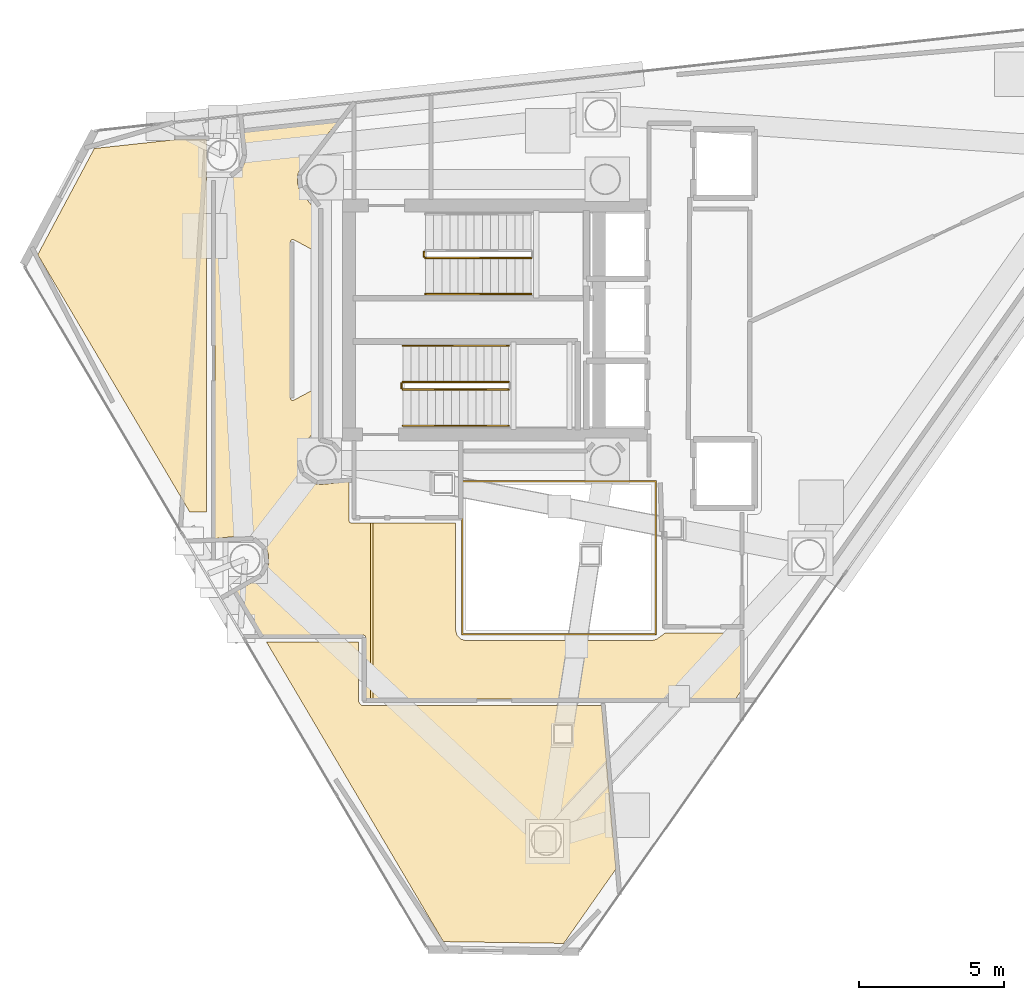
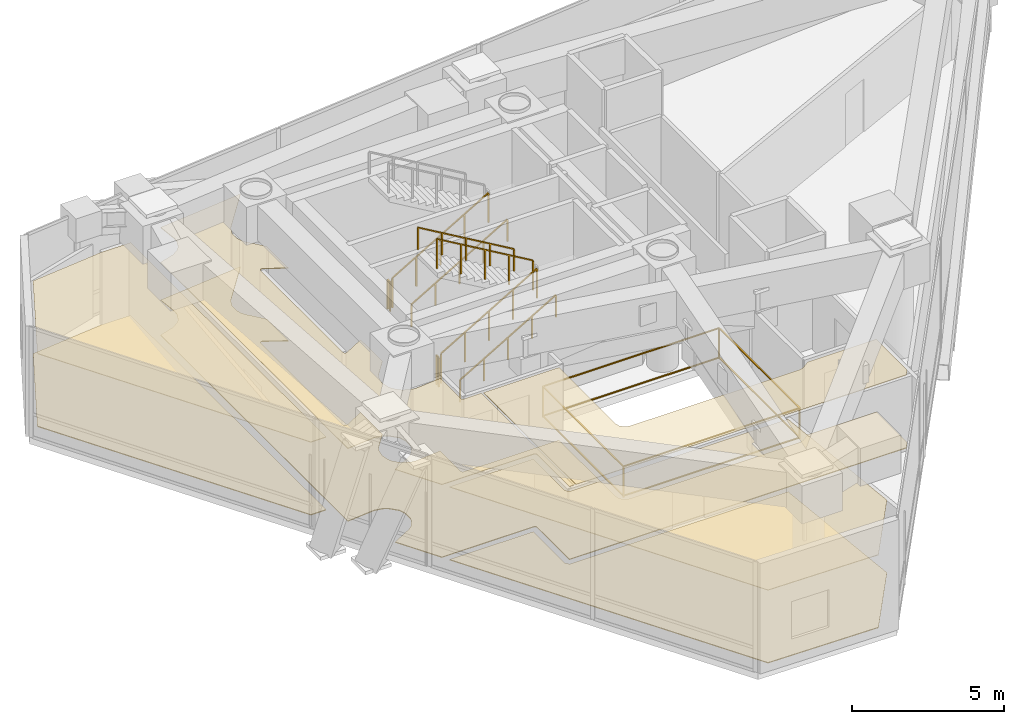
# One storey, part 20 of 21: 9 railings, 7 coverings.
"""IFC4 building model written with IfcOpenShell, lengths in metres."""

from ifc_helpers import new_model, si_unit, direction, frame, origin, origin_2d, place, context, subcontext, project, spatial, polyline, rectangle, outline, extrude, material, layer, layer_set, type_object, element, save


model = new_model("IFC4")

# Units and contexts
model_context = context("Model", 3, precision=1e-05, world=origin(), true_north=direction((0.0, 1.0)))
body_context = subcontext(model_context, "Body", "Model", "MODEL_VIEW")
ifc_project = project(units=[si_unit("LENGTHUNIT", "METRE"), si_unit("AREAUNIT", "SQUARE_METRE"), si_unit("VOLUMEUNIT", "CUBIC_METRE"), si_unit("PLANEANGLEUNIT", "RADIAN"), si_unit("MASSUNIT", "GRAM", prefix="KILO")], contexts=[model_context])

# Site, building, storey
site_placement = place(None, origin())
site = spatial("IfcSite", under=ifc_project, at=site_placement, CompositionType="ELEMENT")
building_placement = place(site_placement, origin())
building = spatial("IfcBuilding", under=site, at=building_placement, Name="Qianvela Tower", CompositionType="ELEMENT")
storey_placement = place(building_placement, frame((0.0, 0.0, 276.0)))
storey = spatial("IfcBuildingStorey", under=building, at=storey_placement, Name="L71", CompositionType="ELEMENT", Elevation=276.0)

# Coverings
ifc_material_1 = material(Name="Perforated Mineral Acoustic Ceiling Tile")
ifc_layer_1 = layer(ifc_material_1, 0.02490234375)
ifc_layer_set_1 = layer_set([ifc_layer_1], Name="Perforated Mineral Acoustic Ceiling Tile")
covering_type_1 = type_object("IfcCoveringType", Name="COV-CEIL-ACOUSTIC-25", PredefinedType="CEILING", material=ifc_layer_set_1)
covering_1_placement = place(storey_placement, frame((0.0, 0.0, 2.9150390625)))
element("IfcCovering", 1, at=covering_1_placement, inside=storey, type_object=covering_type_1, Name="L71 Acoustic Ceiling L71 Fire Refuge Area North", PredefinedType="CEILING", context=body_context, shape_type="SweptSolid", body=[
    extrude(outline(polyline([(24.05908203125, 22.080078125), (18.8193359375, 30.953857421875), (20.77197265625, 34.617431640625), (23.5537109375, 34.919921875), (24.639892578125, 34.919921875), (24.639892578125, 22.080078125), (24.05908203125, 22.080078125)])), origin(), (0.0, 0.0, 1.0), 0.02490234375),
])
covering_2_placement = place(storey_placement, frame((0.0, 0.0, 2.9150390625)))
element("IfcCovering", 2, at=covering_2_placement, inside=storey, type_object=covering_type_1, Name="L71 Acoustic Ceiling Bay 1 L71 Mechanical Plant Corridor", PredefinedType="CEILING", context=body_context, shape_type="SweptSolid", body=[
    extrude(outline(polyline([(26.7822265625, 20.590087890625), (26.781005859375, 20.597900390625), (26.779296875, 20.605712890625), (26.715087890625, 20.816650390625), (26.712646484375, 20.82373046875), (26.70947265625, 20.83056640625), (26.705810546875, 20.8369140625), (26.701416015625, 20.843017578125), (26.6962890625, 20.848876953125), (26.443603515625, 21.11181640625), (26.4375, 21.11767578125), (26.430908203125, 21.122802734375), (26.423583984375, 21.126953125), (26.294921875, 21.19580078125), (26.28759765625, 21.19921875), (26.2802734375, 21.201904296875), (26.272705078125, 21.203857421875), (25.987548828125, 21.260498046875), (25.979736328125, 21.26171875), (25.971923828125, 21.261962890625), (25.964111328125, 21.26171875), (24.929931640625, 21.159912109375), (24.929931640625, 33.44921875), (25.490234375, 33.619140625), (25.497802734375, 33.621826171875), (25.5048828125, 33.625244140625), (25.511474609375, 33.629150390625), (25.753173828125, 33.790771484375), (25.759521484375, 33.79541015625), (25.765380859375, 33.800537109375), (25.7705078125, 33.806396484375), (25.86328125, 33.919189453125), (25.867919921875, 33.92578125), (25.8720703125, 33.932373046875), (25.87548828125, 33.939453125), (25.986572265625, 34.2080078125), (25.9892578125, 34.21533203125), (25.9912109375, 34.22314453125), (25.9921875, 34.230712890625), (26.006591796875, 34.376220703125), (26.007080078125, 34.384033203125), (26.006591796875, 34.391845703125), (25.92919921875, 35.178466796875), (29.162353515625, 35.530029296875), (27.918701171875, 34.0146484375), (27.9140625, 34.00830078125), (27.909912109375, 34.001708984375), (27.906494140625, 33.994384765625), (27.79541015625, 33.72607421875), (27.792724609375, 33.718505859375), (27.791015625, 33.7109375), (27.789794921875, 33.703125), (27.789306640625, 33.6953125), (27.789306640625, 33.40478515625), (27.789794921875, 33.396728515625), (27.791015625, 33.38916015625), (27.792724609375, 33.38134765625), (27.835205078125, 33.24169921875), (27.837890625, 33.234375), (27.84130859375, 33.227294921875), (27.909912109375, 33.098388671875), (27.9140625, 33.091796875), (27.918701171875, 33.085205078125), (28.39990234375, 32.498779296875), (28.39990234375, 31.067626953125), (27.65771484375, 31.46435546875), (27.650634765625, 31.4677734375), (27.643310546875, 31.470458984375), (27.635498046875, 31.472412109375), (27.627685546875, 31.473388671875), (27.6201171875, 31.473876953125), (27.6123046875, 31.473388671875), (27.6044921875, 31.472412109375), (27.5966796875, 31.470458984375), (27.58935546875, 31.4677734375), (27.582275390625, 31.46435546875), (27.57568359375, 31.460205078125), (27.569091796875, 31.45556640625), (27.5634765625, 31.450439453125), (27.55810546875, 31.444580078125), (27.553466796875, 31.438232421875), (27.54931640625, 31.431396484375), (27.546142578125, 31.42431640625), (27.54345703125, 31.4169921875), (27.54150390625, 31.409423828125), (27.540283203125, 31.401611328125), (27.5400390625, 31.393798828125), (27.5400390625, 26.006103515625), (27.540283203125, 25.998291015625), (27.54150390625, 25.990478515625), (27.54345703125, 25.98291015625), (27.546142578125, 25.9755859375), (27.54931640625, 25.968505859375), (27.553466796875, 25.9619140625), (27.55810546875, 25.955322265625), (27.5634765625, 25.94970703125), (27.569091796875, 25.9443359375), (27.57568359375, 25.939697265625), (27.582275390625, 25.935546875), (27.58935546875, 25.932373046875), (27.5966796875, 25.9296875), (27.6044921875, 25.927734375), (27.6123046875, 25.926513671875), (27.6201171875, 25.92626953125), (27.627685546875, 25.926513671875), (27.635498046875, 25.927734375), (27.643310546875, 25.9296875), (27.650634765625, 25.932373046875), (27.65771484375, 25.935546875), (28.39990234375, 26.33251953125), (28.39990234375, 24.901123046875), (27.918701171875, 24.314697265625), (27.9140625, 24.308349609375), (27.909912109375, 24.301513671875), (27.84130859375, 24.1728515625), (27.837890625, 24.165771484375), (27.835205078125, 24.158203125), (27.833251953125, 24.150634765625), (27.776611328125, 23.865478515625), (27.775390625, 23.85791015625), (27.77490234375, 23.85009765625), (27.775390625, 23.84228515625), (27.776611328125, 23.83447265625), (27.833251953125, 23.54931640625), (27.835205078125, 23.541748046875), (27.837890625, 23.5341796875), (27.84130859375, 23.527099609375), (27.909912109375, 23.3984375), (27.9140625, 23.3916015625), (27.918701171875, 23.38525390625), (27.924072265625, 23.37939453125), (28.12939453125, 23.174072265625), (28.13525390625, 23.168701171875), (28.1416015625, 23.1640625), (28.1484375, 23.159912109375), (28.155517578125, 23.156494140625), (28.424072265625, 23.04541015625), (28.431396484375, 23.042724609375), (28.439208984375, 23.041015625), (28.44677734375, 23.039794921875), (28.59228515625, 23.025390625), (28.60009765625, 23.02490234375), (28.60791015625, 23.025390625), (29.55810546875, 23.118896484375), (29.55810546875, 21.780029296875), (29.558349609375, 21.772216796875), (29.5595703125, 21.764404296875), (29.561279296875, 21.7568359375), (29.564208984375, 21.74951171875), (29.5673828125, 21.7421875), (29.571533203125, 21.735595703125), (29.576171875, 21.729248046875), (29.581298828125, 21.723388671875), (29.587158203125, 21.71826171875), (29.593505859375, 21.71337890625), (29.600341796875, 21.70947265625), (29.607421875, 21.7060546875), (29.61474609375, 21.703369140625), (29.622314453125, 21.701416015625), (29.630126953125, 21.700439453125), (29.637939453125, 21.699951171875), (30.298828125, 21.699951171875), (30.298828125, 15.6298828125), (30.1298828125, 15.6298828125), (30.1298828125, 17.75), (30.129638671875, 17.7578125), (30.12841796875, 17.765625), (30.126708984375, 17.773193359375), (30.123779296875, 17.780517578125), (30.12060546875, 17.78759765625), (30.116455078125, 17.79443359375), (30.11181640625, 17.80078125), (30.106689453125, 17.806640625), (30.100830078125, 17.811767578125), (30.094482421875, 17.81640625), (30.087646484375, 17.820556640625), (30.08056640625, 17.823974609375), (30.0732421875, 17.82666015625), (30.065673828125, 17.82861328125), (30.057861328125, 17.82958984375), (30.050048828125, 17.830078125), (26.568603515625, 17.830078125), (25.67333984375, 19.345947265625), (26.423583984375, 19.7470703125), (26.430419921875, 19.7509765625), (26.436767578125, 19.755615234375), (26.549560546875, 19.848388671875), (26.555419921875, 19.853515625), (26.560546875, 19.859619140625), (26.565185546875, 19.86572265625), (26.726806640625, 20.107421875), (26.730712890625, 20.1142578125), (26.734130859375, 20.121337890625), (26.73681640625, 20.128662109375), (26.779296875, 20.268310546875), (26.781005859375, 20.276123046875), (26.7822265625, 20.28369140625), (26.78271484375, 20.291748046875), (26.78271484375, 20.582275390625), (26.7822265625, 20.590087890625)])), origin(), (0.0, 0.0, 1.0), 0.02490234375),
])
covering_3_placement = place(storey_placement, frame((0.0, 0.0, 2.9150390625)))
element("IfcCovering", 3, at=covering_3_placement, inside=storey, type_object=covering_type_1, Name="L71 Acoustic Ceiling Bay 2 L71 Mechanical Plant Corridor", PredefinedType="CEILING", context=body_context, shape_type="SweptSolid", body=[
    extrude(outline(polyline([(33.239990234375, 21.699951171875), (33.239990234375, 18.0), (33.240478515625, 17.990234375), (33.242431640625, 17.980712890625), (33.275390625, 17.8486328125), (33.277587890625, 17.841796875), (33.2802734375, 17.8349609375), (33.283447265625, 17.82861328125), (33.287353515625, 17.822509765625), (33.29150390625, 17.81689453125), (33.29638671875, 17.811279296875), (33.411376953125, 17.696533203125), (33.41796875, 17.690673828125), (33.4248046875, 17.685791015625), (33.432373046875, 17.681396484375), (33.440185546875, 17.677978515625), (33.448486328125, 17.675537109375), (33.58056640625, 17.642333984375), (33.5869140625, 17.64111328125), (33.593505859375, 17.640380859375), (33.60009765625, 17.639892578125), (40.0, 17.639892578125), (40.006591796875, 17.640380859375), (40.012939453125, 17.64111328125), (40.019287109375, 17.642333984375), (40.1513671875, 17.675537109375), (40.15869140625, 17.677734375), (40.166015625, 17.6806640625), (40.172607421875, 17.68408203125), (40.17919921875, 17.6884765625), (40.459228515625, 17.89306640625), (43.070068359375, 17.89990234375), (43.070068359375, 15.87890625), (42.895263671875, 15.6298828125), (30.37890625, 15.6298828125), (30.37890625, 21.699951171875), (33.239990234375, 21.699951171875)])), origin(), (0.0, 0.0, 1.0), 0.02490234375),
])
covering_4_placement = place(storey_placement, frame((0.0, 0.0, 2.9150390625)))
element("IfcCovering", 4, at=covering_4_placement, inside=storey, type_object=covering_type_1, Name="L71 Acoustic Ceiling L71 Fire Refuge Area 3", PredefinedType="CEILING", context=body_context, shape_type="SweptSolid", body=[
    extrude(outline(polyline([(26.710205078125, 17.590087890625), (29.889892578125, 17.590087890625), (29.889892578125, 15.550048828125), (29.890380859375, 15.542236328125), (29.8916015625, 15.534423828125), (29.893310546875, 15.52685546875), (29.89599609375, 15.519287109375), (29.8994140625, 15.51220703125), (29.903564453125, 15.505615234375), (29.908203125, 15.499267578125), (29.97265625, 15.4208984375), (29.977783203125, 15.4150390625), (29.983642578125, 15.40966796875), (29.989990234375, 15.405029296875), (29.99658203125, 15.40087890625), (30.00390625, 15.397705078125), (30.01123046875, 15.39501953125), (30.018798828125, 15.39306640625), (30.026611328125, 15.391845703125), (30.034423828125, 15.3916015625), (38.277587890625, 15.389892578125), (38.7705078125, 9.75830078125), (36.966552734375, 7.190185546875), (32.8154296875, 7.25), (26.710205078125, 17.590087890625)])), origin(), (0.0, 0.0, 1.0), 0.02490234375),
])
ifc_material_2 = material(Name="Honed Stone Terrazzo Flooring", Category="masonry")
ifc_layer_2 = layer(ifc_material_2, 0.030029296875)
ifc_layer_set_2 = layer_set([ifc_layer_2], Name="Honed Stone Terrazzo Flooring")
covering_type_2 = type_object("IfcCoveringType", Name="COV-FLOOR-TERRAZZO-30", PredefinedType="FLOORING", material=ifc_layer_set_2)
covering_5_placement = place(storey_placement, origin())
element("IfcCovering", 5, at=covering_5_placement, inside=storey, type_object=covering_type_2, Name="L71 Finish Flooring L71 Fire Refuge Area North", PredefinedType="FLOORING", context=body_context, shape_type="SweptSolid", body=[
    extrude(outline(polyline([(24.05908203125, 22.080078125), (18.8193359375, 30.953857421875), (20.77197265625, 34.617431640625), (23.5537109375, 34.919921875), (24.639892578125, 34.919921875), (24.639892578125, 22.080078125), (24.05908203125, 22.080078125)])), origin(), (0.0, 0.0, 1.0), 0.030029296875),
])
covering_6_placement = place(storey_placement, origin())
element("IfcCovering", 6, at=covering_6_placement, inside=storey, type_object=covering_type_2, Name="L71 Finish Flooring L71 Mechanical Plant Corridor", PredefinedType="FLOORING", context=body_context, shape_type="SweptSolid", body=[
    extrude(outline(polyline([(26.78271484375, 20.582275390625), (26.7822265625, 20.590087890625), (26.781005859375, 20.597900390625), (26.779296875, 20.605712890625), (26.715087890625, 20.816650390625), (26.712646484375, 20.82373046875), (26.70947265625, 20.83056640625), (26.705810546875, 20.8369140625), (26.701416015625, 20.843017578125), (26.6962890625, 20.848876953125), (26.443603515625, 21.11181640625), (26.4375, 21.11767578125), (26.430908203125, 21.122802734375), (26.423583984375, 21.126953125), (26.294921875, 21.19580078125), (26.28759765625, 21.19921875), (26.2802734375, 21.201904296875), (26.272705078125, 21.203857421875), (25.987548828125, 21.260498046875), (25.979736328125, 21.26171875), (25.971923828125, 21.261962890625), (25.964111328125, 21.26171875), (24.929931640625, 21.159912109375), (24.929931640625, 33.44921875), (25.490234375, 33.619140625), (25.497802734375, 33.621826171875), (25.5048828125, 33.625244140625), (25.511474609375, 33.629150390625), (25.753173828125, 33.790771484375), (25.759521484375, 33.79541015625), (25.765380859375, 33.800537109375), (25.7705078125, 33.806396484375), (25.86328125, 33.919189453125), (25.867919921875, 33.92578125), (25.8720703125, 33.932373046875), (25.87548828125, 33.939453125), (25.986572265625, 34.2080078125), (25.9892578125, 34.21533203125), (25.9912109375, 34.22314453125), (25.9921875, 34.230712890625), (26.006591796875, 34.376220703125), (26.007080078125, 34.384033203125), (26.006591796875, 34.391845703125), (25.92919921875, 35.178466796875), (29.162353515625, 35.530029296875), (27.918701171875, 34.0146484375), (27.9140625, 34.00830078125), (27.909912109375, 34.001708984375), (27.906494140625, 33.994384765625), (27.79541015625, 33.72607421875), (27.792724609375, 33.718505859375), (27.791015625, 33.7109375), (27.789794921875, 33.703125), (27.789306640625, 33.6953125), (27.789306640625, 33.40478515625), (27.789794921875, 33.396728515625), (27.791015625, 33.38916015625), (27.792724609375, 33.38134765625), (27.835205078125, 33.24169921875), (27.837890625, 33.234375), (27.84130859375, 33.227294921875), (27.909912109375, 33.098388671875), (27.9140625, 33.091796875), (27.918701171875, 33.085205078125), (28.39990234375, 32.498779296875), (28.39990234375, 31.067626953125), (27.65771484375, 31.46435546875), (27.650634765625, 31.4677734375), (27.643310546875, 31.470458984375), (27.635498046875, 31.472412109375), (27.627685546875, 31.473388671875), (27.6201171875, 31.473876953125), (27.6123046875, 31.473388671875), (27.6044921875, 31.472412109375), (27.5966796875, 31.470458984375), (27.58935546875, 31.4677734375), (27.582275390625, 31.46435546875), (27.57568359375, 31.460205078125), (27.569091796875, 31.45556640625), (27.5634765625, 31.450439453125), (27.55810546875, 31.444580078125), (27.553466796875, 31.438232421875), (27.54931640625, 31.431396484375), (27.546142578125, 31.42431640625), (27.54345703125, 31.4169921875), (27.54150390625, 31.409423828125), (27.540283203125, 31.401611328125), (27.5400390625, 31.393798828125), (27.5400390625, 26.006103515625), (27.540283203125, 25.998291015625), (27.54150390625, 25.990478515625), (27.54345703125, 25.98291015625), (27.546142578125, 25.9755859375), (27.54931640625, 25.968505859375), (27.553466796875, 25.9619140625), (27.55810546875, 25.955322265625), (27.5634765625, 25.94970703125), (27.569091796875, 25.9443359375), (27.57568359375, 25.939697265625), (27.582275390625, 25.935546875), (27.58935546875, 25.932373046875), (27.5966796875, 25.9296875), (27.6044921875, 25.927734375), (27.6123046875, 25.926513671875), (27.6201171875, 25.92626953125), (27.627685546875, 25.926513671875), (27.635498046875, 25.927734375), (27.643310546875, 25.9296875), (27.650634765625, 25.932373046875), (27.65771484375, 25.935546875), (28.39990234375, 26.33251953125), (28.39990234375, 24.901123046875), (27.918701171875, 24.314697265625), (27.9140625, 24.308349609375), (27.909912109375, 24.301513671875), (27.84130859375, 24.1728515625), (27.837890625, 24.165771484375), (27.835205078125, 24.158203125), (27.833251953125, 24.150634765625), (27.776611328125, 23.865478515625), (27.775390625, 23.85791015625), (27.77490234375, 23.85009765625), (27.775390625, 23.84228515625), (27.776611328125, 23.83447265625), (27.833251953125, 23.54931640625), (27.835205078125, 23.541748046875), (27.837890625, 23.5341796875), (27.84130859375, 23.527099609375), (27.909912109375, 23.3984375), (27.9140625, 23.3916015625), (27.918701171875, 23.38525390625), (27.924072265625, 23.37939453125), (28.12939453125, 23.174072265625), (28.13525390625, 23.168701171875), (28.1416015625, 23.1640625), (28.1484375, 23.159912109375), (28.155517578125, 23.156494140625), (28.424072265625, 23.04541015625), (28.431396484375, 23.042724609375), (28.439208984375, 23.041015625), (28.44677734375, 23.039794921875), (28.59228515625, 23.025390625), (28.60009765625, 23.02490234375), (28.60791015625, 23.025390625), (29.55810546875, 23.118896484375), (29.55810546875, 21.780029296875), (29.558349609375, 21.772216796875), (29.5595703125, 21.764404296875), (29.561279296875, 21.7568359375), (29.564208984375, 21.74951171875), (29.5673828125, 21.7421875), (29.571533203125, 21.735595703125), (29.576171875, 21.729248046875), (29.581298828125, 21.723388671875), (29.587158203125, 21.71826171875), (29.593505859375, 21.71337890625), (29.600341796875, 21.70947265625), (29.607421875, 21.7060546875), (29.61474609375, 21.703369140625), (29.622314453125, 21.701416015625), (29.630126953125, 21.700439453125), (29.637939453125, 21.699951171875), (33.239990234375, 21.699951171875), (33.239990234375, 18.0), (33.240478515625, 17.990234375), (33.242431640625, 17.980712890625), (33.275390625, 17.8486328125), (33.277587890625, 17.841796875), (33.2802734375, 17.8349609375), (33.283447265625, 17.82861328125), (33.287353515625, 17.822509765625), (33.29150390625, 17.81689453125), (33.29638671875, 17.811279296875), (33.411376953125, 17.696533203125), (33.41796875, 17.690673828125), (33.4248046875, 17.685791015625), (33.432373046875, 17.681396484375), (33.440185546875, 17.677978515625), (33.448486328125, 17.675537109375), (33.58056640625, 17.642333984375), (33.5869140625, 17.64111328125), (33.593505859375, 17.640380859375), (33.60009765625, 17.639892578125), (40.0, 17.639892578125), (40.006591796875, 17.640380859375), (40.012939453125, 17.64111328125), (40.019287109375, 17.642333984375), (40.1513671875, 17.675537109375), (40.15869140625, 17.677734375), (40.166015625, 17.6806640625), (40.172607421875, 17.68408203125), (40.17919921875, 17.6884765625), (40.459228515625, 17.89306640625), (43.070068359375, 17.89990234375), (43.070068359375, 15.87890625), (42.895263671875, 15.6298828125), (30.1298828125, 15.6298828125), (30.1298828125, 17.75), (30.129638671875, 17.7578125), (30.12841796875, 17.765625), (30.126708984375, 17.773193359375), (30.123779296875, 17.780517578125), (30.12060546875, 17.78759765625), (30.116455078125, 17.79443359375), (30.11181640625, 17.80078125), (30.106689453125, 17.806640625), (30.100830078125, 17.811767578125), (30.094482421875, 17.81640625), (30.087646484375, 17.820556640625), (30.08056640625, 17.823974609375), (30.0732421875, 17.82666015625), (30.065673828125, 17.82861328125), (30.057861328125, 17.82958984375), (30.050048828125, 17.830078125), (26.568603515625, 17.830078125), (25.67333984375, 19.345947265625), (26.423583984375, 19.7470703125), (26.430419921875, 19.7509765625), (26.436767578125, 19.755615234375), (26.549560546875, 19.848388671875), (26.555419921875, 19.853515625), (26.560546875, 19.859619140625), (26.565185546875, 19.86572265625), (26.726806640625, 20.107421875), (26.730712890625, 20.1142578125), (26.734130859375, 20.121337890625), (26.73681640625, 20.128662109375), (26.779296875, 20.268310546875), (26.781005859375, 20.276123046875), (26.7822265625, 20.28369140625), (26.78271484375, 20.291748046875), (26.78271484375, 20.582275390625)])), origin(), (0.0, 0.0, 1.0), 0.030029296875),
])
covering_7_placement = place(storey_placement, origin())
element("IfcCovering", 7, at=covering_7_placement, inside=storey, type_object=covering_type_2, Name="L71 Finish Flooring L71 Fire Refuge Area 3", PredefinedType="FLOORING", context=body_context, shape_type="SweptSolid", body=[
    extrude(outline(polyline([(26.710205078125, 17.590087890625), (29.889892578125, 17.590087890625), (29.889892578125, 15.550048828125), (29.890380859375, 15.542236328125), (29.8916015625, 15.534423828125), (29.893310546875, 15.52685546875), (29.89599609375, 15.519287109375), (29.8994140625, 15.51220703125), (29.903564453125, 15.505615234375), (29.908203125, 15.499267578125), (29.97265625, 15.4208984375), (29.977783203125, 15.4150390625), (29.983642578125, 15.40966796875), (29.989990234375, 15.405029296875), (29.99658203125, 15.40087890625), (30.00390625, 15.397705078125), (30.01123046875, 15.39501953125), (30.018798828125, 15.39306640625), (30.026611328125, 15.391845703125), (30.034423828125, 15.3916015625), (38.277587890625, 15.389892578125), (38.7705078125, 9.75830078125), (36.966552734375, 7.190185546875), (32.8154296875, 7.25), (26.710205078125, 17.590087890625)])), origin(), (0.0, 0.0, 1.0), 0.030029296875),
])

# Railings
ifc_material_3 = material(Name="Laminated Safety Glass and Stainless Steel 316", Category="steel")
railing_type_1 = type_object("IfcRailingType", Name="RL-ATRIUM-GUARD-1250", PredefinedType="GUARDRAIL", material=ifc_material_3)
railing_1_placement = place(storey_placement, frame((33.4599609375, 17.860107421875, 0.0)))
element("IfcRailing", 8, at=railing_1_placement, inside=storey, type_object=railing_type_1, Name="L71 Atrium Edge Guardrail 1", PredefinedType="GUARDRAIL", context=body_context, shape_type="SweptSolid", body=[
    extrude(rectangle(XDim=0.050048828125, YDim=0.0400390625, at=origin_2d()), frame((0.0, 0.0, 1.22998046875), z_axis=(0.0, 1.0, 0.0), x_axis=(-1.0, 0.0, 0.0)), (0.0, 0.0, 1.0), 5.27978515625),
    extrude(rectangle(XDim=0.050048828125, YDim=0.0400390625, at=origin_2d()), frame((0.0, 0.0, 0.050048828125), z_axis=(0.0, 1.0, 0.0), x_axis=(-1.0, 0.0, 0.0)), (0.0, 0.0, 1.0), 5.27978515625),
    extrude(rectangle(XDim=0.050048828125, YDim=0.0400390625, at=origin_2d()), frame((0.0, 5.27978515625, 1.22998046875), z_axis=(1.0, 0.0, 0.0), x_axis=(0.0, 1.0, 0.0)), (0.0, 0.0, 1.0), 6.679931640625),
    extrude(rectangle(XDim=0.050048828125, YDim=0.0400390625, at=origin_2d()), frame((0.0, 5.27978515625, 0.050048828125), z_axis=(1.0, 0.0, 0.0), x_axis=(0.0, 1.0, 0.0)), (0.0, 0.0, 1.0), 6.679931640625),
    extrude(rectangle(XDim=0.050048828125, YDim=0.0400390625, at=origin_2d()), frame((6.679931640625, 5.27978515625, 1.22998046875), z_axis=(0.0, -1.0, 0.0), x_axis=(1.0, 0.0, 0.0)), (0.0, 0.0, 1.0), 5.27978515625),
    extrude(rectangle(XDim=0.050048828125, YDim=0.0400390625, at=origin_2d()), frame((6.679931640625, 5.27978515625, 0.050048828125), z_axis=(0.0, -1.0, 0.0), x_axis=(1.0, 0.0, 0.0)), (0.0, 0.0, 1.0), 5.27978515625),
    extrude(rectangle(XDim=0.050048828125, YDim=0.0400390625, at=origin_2d()), frame((6.679931640625, 0.0, 1.22998046875), z_axis=(-1.0, 0.0, 0.0), x_axis=(0.0, -1.0, 0.0)), (0.0, 0.0, 1.0), 6.679931640625),
    extrude(rectangle(XDim=0.050048828125, YDim=0.0400390625, at=origin_2d()), frame((6.679931640625, 0.0, 0.050048828125), z_axis=(-1.0, 0.0, 0.0), x_axis=(0.0, -1.0, 0.0)), (0.0, 0.0, 1.0), 6.679931640625),
    extrude(rectangle(XDim=0.050048828125, YDim=0.050048828125, at=origin_2d()), origin(), (0.0, 0.0, 1.0), 1.2099609375),
    extrude(rectangle(XDim=0.050048828125, YDim=0.050048828125, at=origin_2d()), frame((0.0, 5.27978515625, 0.0)), (0.0, 0.0, 1.0), 1.2099609375),
    extrude(rectangle(XDim=0.050048828125, YDim=0.050048828125, at=origin_2d()), frame((6.679931640625, 5.27978515625, 0.0)), (0.0, 0.0, 1.0), 1.2099609375),
    extrude(rectangle(XDim=0.050048828125, YDim=0.050048828125, at=origin_2d()), frame((6.679931640625, 0.0, 0.0)), (0.0, 0.0, 1.0), 1.2099609375),
])
ifc_material_4 = material(Name="Painted Tubular Steel Q355B", Category="steel")
railing_type_2 = type_object("IfcRailingType", Name="RL-STAIR-GUARD-1200", PredefinedType="GUARDRAIL", material=ifc_material_4)
railing_2_placement = place(storey_placement, frame((32.199951171875, 30.840087890625, 0.164306640625)))
element("IfcRailing", 9, at=railing_2_placement, inside=storey, type_object=railing_type_2, Name="L71 ST-1 stair guard 1", PredefinedType="GUARDRAIL", context=body_context, shape_type="SweptSolid", body=[
    extrude(rectangle(XDim=0.050048828125, YDim=0.0400390625, at=origin_2d()), frame((0.0, 0.0, 1.179931640625), z_axis=(0.862504707072, 0.0, 0.506049039401), x_axis=(0.0, 1.0, 0.0)), (0.0, 0.0, 1.0), 4.220458984375),
    extrude(rectangle(XDim=0.050048828125, YDim=0.050048828125, at=origin_2d()), origin(), (0.0, 0.0, 1.0), 1.159912109375),
    extrude(rectangle(XDim=0.050048828125, YDim=0.050048828125, at=origin_2d()), frame((0.91015625, 0.0, 0.533935546875)), (0.0, 0.0, 1.0), 1.159912109375),
    extrude(rectangle(XDim=0.050048828125, YDim=0.050048828125, at=origin_2d()), frame((1.820068359375, 0.0, 1.06787109375)), (0.0, 0.0, 1.0), 1.159912109375),
    extrude(rectangle(XDim=0.050048828125, YDim=0.050048828125, at=origin_2d()), frame((2.72998046875, 0.0, 1.601806640625)), (0.0, 0.0, 1.0), 1.159912109375),
    extrude(rectangle(XDim=0.050048828125, YDim=0.050048828125, at=origin_2d()), frame((3.64013671875, 0.0, 2.1357421875)), (0.0, 0.0, 1.0), 1.159912109375),
])
railing_3_placement = place(storey_placement, frame((32.14990234375, 30.889892578125, 0.0)))
element("IfcRailing", 10, at=railing_3_placement, inside=storey, type_object=railing_type_2, Name="L71 ST-1 stair guard 4", PredefinedType="GUARDRAIL", context=body_context, shape_type="SweptSolid", body=[
    extrude(rectangle(XDim=0.050048828125, YDim=0.0400390625, at=origin_2d()), frame((0.0, 0.0, 1.179931640625), z_axis=(0.0, 1.0, 0.0), x_axis=(-1.0, 0.0, 0.0)), (0.0, 0.0, 1.0), 0.16015625),
    extrude(rectangle(XDim=0.050048828125, YDim=0.050048828125, at=origin_2d()), origin(), (0.0, 0.0, 1.0), 1.159912109375),
    extrude(rectangle(XDim=0.050048828125, YDim=0.050048828125, at=origin_2d()), frame((0.0, 0.16015625, 0.0)), (0.0, 0.0, 1.0), 1.159912109375),
])
railing_4_placement = place(storey_placement, frame((31.419921875, 26.300048828125, 0.164306640625)))
element("IfcRailing", 11, at=railing_4_placement, inside=storey, type_object=railing_type_2, Name="L71 ST-2 stair guard 1", PredefinedType="GUARDRAIL", context=body_context, shape_type="SweptSolid", body=[
    extrude(rectangle(XDim=0.050048828125, YDim=0.0400390625, at=origin_2d()), frame((0.0, 0.0, 1.179931640625), z_axis=(0.862504707072, 0.0, 0.506049039401), x_axis=(0.0, 1.0, 0.0)), (0.0, 0.0, 1.0), 4.220458984375),
    extrude(rectangle(XDim=0.050048828125, YDim=0.050048828125, at=origin_2d()), origin(), (0.0, 0.0, 1.0), 1.159912109375),
    extrude(rectangle(XDim=0.050048828125, YDim=0.050048828125, at=origin_2d()), frame((0.91015625, 0.0, 0.533935546875)), (0.0, 0.0, 1.0), 1.159912109375),
    extrude(rectangle(XDim=0.050048828125, YDim=0.050048828125, at=origin_2d()), frame((1.820068359375, 0.0, 1.06787109375)), (0.0, 0.0, 1.0), 1.159912109375),
    extrude(rectangle(XDim=0.050048828125, YDim=0.050048828125, at=origin_2d()), frame((2.72998046875, 0.0, 1.601806640625)), (0.0, 0.0, 1.0), 1.159912109375),
    extrude(rectangle(XDim=0.050048828125, YDim=0.050048828125, at=origin_2d()), frame((3.64013671875, 0.0, 2.1357421875)), (0.0, 0.0, 1.0), 1.159912109375),
])
railing_5_placement = place(storey_placement, frame((35.06005859375, 26.56005859375, 2.46435546875)))
element("IfcRailing", 12, at=railing_5_placement, inside=storey, type_object=railing_type_2, Name="L71 ST-2 stair guard 3", PredefinedType="GUARDRAIL", context=body_context, shape_type="SweptSolid", body=[
    extrude(rectangle(XDim=0.050048828125, YDim=0.0400390625, at=origin_2d()), frame((0.0, 0.0, 1.179931640625), z_axis=(-0.862504707072, 0.0, 0.506049039401), x_axis=(0.0, -1.0, 0.0)), (0.0, 0.0, 1.0), 4.220458984375),
    extrude(rectangle(XDim=0.050048828125, YDim=0.050048828125, at=origin_2d()), origin(), (0.0, 0.0, 1.0), 1.159912109375),
    extrude(rectangle(XDim=0.050048828125, YDim=0.050048828125, at=origin_2d()), frame((-0.91015625, 0.0, 0.533935546875)), (0.0, 0.0, 1.0), 1.159912109375),
    extrude(rectangle(XDim=0.050048828125, YDim=0.050048828125, at=origin_2d()), frame((-1.820068359375, 0.0, 1.06787109375)), (0.0, 0.0, 1.0), 1.159912109375),
    extrude(rectangle(XDim=0.050048828125, YDim=0.050048828125, at=origin_2d()), frame((-2.72998046875, 0.0, 1.601806640625)), (0.0, 0.0, 1.0), 1.159912109375),
    extrude(rectangle(XDim=0.050048828125, YDim=0.050048828125, at=origin_2d()), frame((-3.64013671875, 0.0, 2.1357421875)), (0.0, 0.0, 1.0), 1.159912109375),
])
railing_6_placement = place(storey_placement, frame((31.3701171875, 26.35009765625, 0.0)))
element("IfcRailing", 13, at=railing_6_placement, inside=storey, type_object=railing_type_2, Name="L71 ST-2 stair guard 4", PredefinedType="GUARDRAIL", context=body_context, shape_type="SweptSolid", body=[
    extrude(rectangle(XDim=0.050048828125, YDim=0.0400390625, at=origin_2d()), frame((0.0, 0.0, 1.179931640625), z_axis=(0.0, 1.0, 0.0), x_axis=(-1.0, 0.0, 0.0)), (0.0, 0.0, 1.0), 0.159912109375),
    extrude(rectangle(XDim=0.050048828125, YDim=0.050048828125, at=origin_2d()), origin(), (0.0, 0.0, 1.0), 1.159912109375),
    extrude(rectangle(XDim=0.050048828125, YDim=0.050048828125, at=origin_2d()), frame((0.0, 0.159912109375, 0.0)), (0.0, 0.0, 1.0), 1.159912109375),
])
ifc_material_5 = material(Name="Brushed Stainless Steel 304", Category="steel")
railing_type_3 = type_object("IfcRailingType", Name="RL-STAIR-HANDRAIL-900", PredefinedType="HANDRAIL", material=ifc_material_5)
for number, where, name in (
    (14, (32.199951171875, 29.590087890625, 0.164306640625), "L71 ST-1 stair handrail 1"),
    (15, (31.419921875, 25.050048828125, 0.164306640625), "L71 ST-2 stair handrail 1"),
):
    element("IfcRailing", number, at=place(storey_placement, frame(where)), inside=storey, type_object=railing_type_3, Name=name, PredefinedType="HANDRAIL", context=body_context, shape_type="SweptSolid", body=[
        extrude(rectangle(XDim=0.050048828125, YDim=0.0400390625, at=origin_2d()), frame((0.0, 0.0, 0.8798828125), z_axis=(0.862504707072, 0.0, 0.506049039401), x_axis=(0.0, 1.0, 0.0)), (0.0, 0.0, 1.0), 4.220458984375),
        extrude(rectangle(XDim=0.050048828125, YDim=0.050048828125, at=origin_2d()), origin(), (0.0, 0.0, 1.0), 0.85986328125),
        extrude(rectangle(XDim=0.050048828125, YDim=0.050048828125, at=origin_2d()), frame((0.91015625, 0.0, 0.533935546875)), (0.0, 0.0, 1.0), 0.85986328125),
        extrude(rectangle(XDim=0.050048828125, YDim=0.050048828125, at=origin_2d()), frame((1.820068359375, 0.0, 1.06787109375)), (0.0, 0.0, 1.0), 0.85986328125),
        extrude(rectangle(XDim=0.050048828125, YDim=0.050048828125, at=origin_2d()), frame((2.72998046875, 0.0, 1.601806640625)), (0.0, 0.0, 1.0), 0.85986328125),
        extrude(rectangle(XDim=0.050048828125, YDim=0.050048828125, at=origin_2d()), frame((3.64013671875, 0.0, 2.1357421875)), (0.0, 0.0, 1.0), 0.85986328125),
    ])
railing_7_placement = place(storey_placement, frame((35.06005859375, 27.81005859375, 2.46435546875)))
element("IfcRailing", 16, at=railing_7_placement, inside=storey, type_object=railing_type_3, Name="L71 ST-2 stair handrail 2", PredefinedType="HANDRAIL", context=body_context, shape_type="SweptSolid", body=[
    extrude(rectangle(XDim=0.050048828125, YDim=0.0400390625, at=origin_2d()), frame((0.0, 0.0, 0.8798828125), z_axis=(-0.862504707072, 0.0, 0.506049039401), x_axis=(0.0, -1.0, 0.0)), (0.0, 0.0, 1.0), 4.220458984375),
    extrude(rectangle(XDim=0.050048828125, YDim=0.050048828125, at=origin_2d()), origin(), (0.0, 0.0, 1.0), 0.85986328125),
    extrude(rectangle(XDim=0.050048828125, YDim=0.050048828125, at=origin_2d()), frame((-0.91015625, 0.0, 0.533935546875)), (0.0, 0.0, 1.0), 0.85986328125),
    extrude(rectangle(XDim=0.050048828125, YDim=0.050048828125, at=origin_2d()), frame((-1.820068359375, 0.0, 1.06787109375)), (0.0, 0.0, 1.0), 0.85986328125),
    extrude(rectangle(XDim=0.050048828125, YDim=0.050048828125, at=origin_2d()), frame((-2.72998046875, 0.0, 1.601806640625)), (0.0, 0.0, 1.0), 0.85986328125),
    extrude(rectangle(XDim=0.050048828125, YDim=0.050048828125, at=origin_2d()), frame((-3.64013671875, 0.0, 2.1357421875)), (0.0, 0.0, 1.0), 0.85986328125),
])

save(model, "model.ifc")
